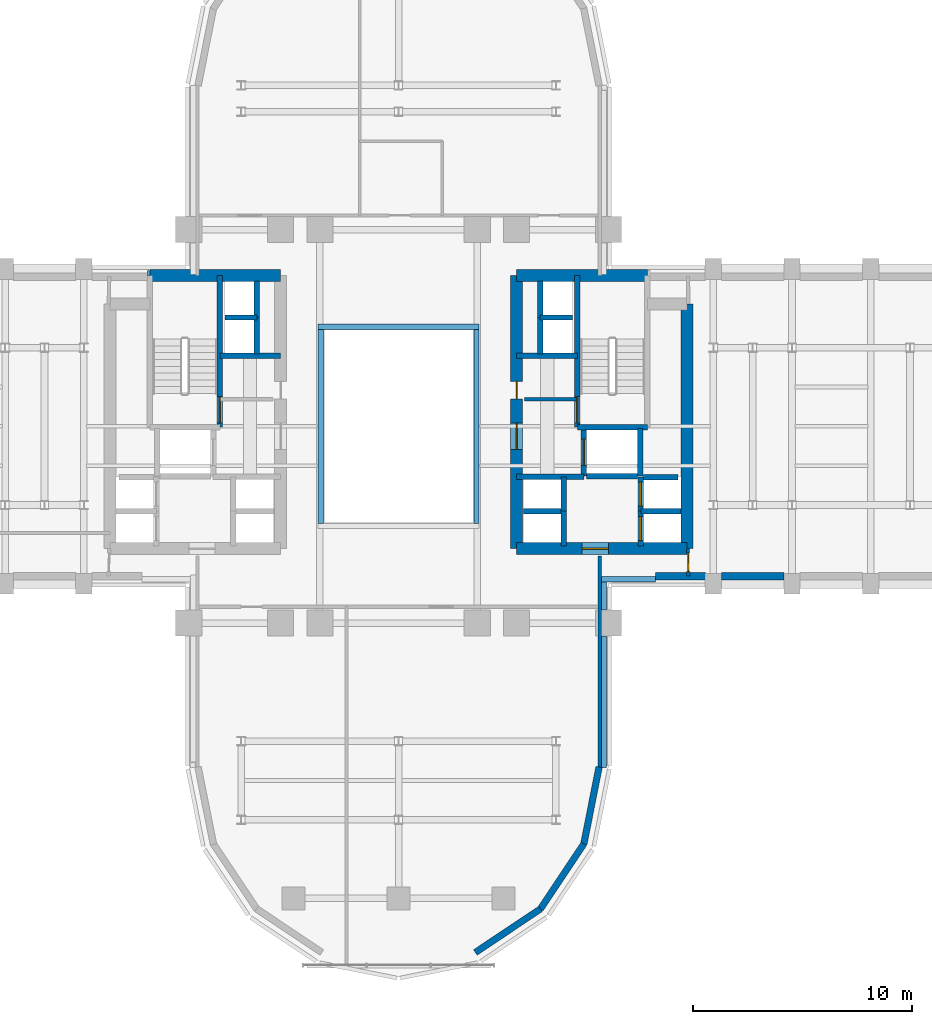
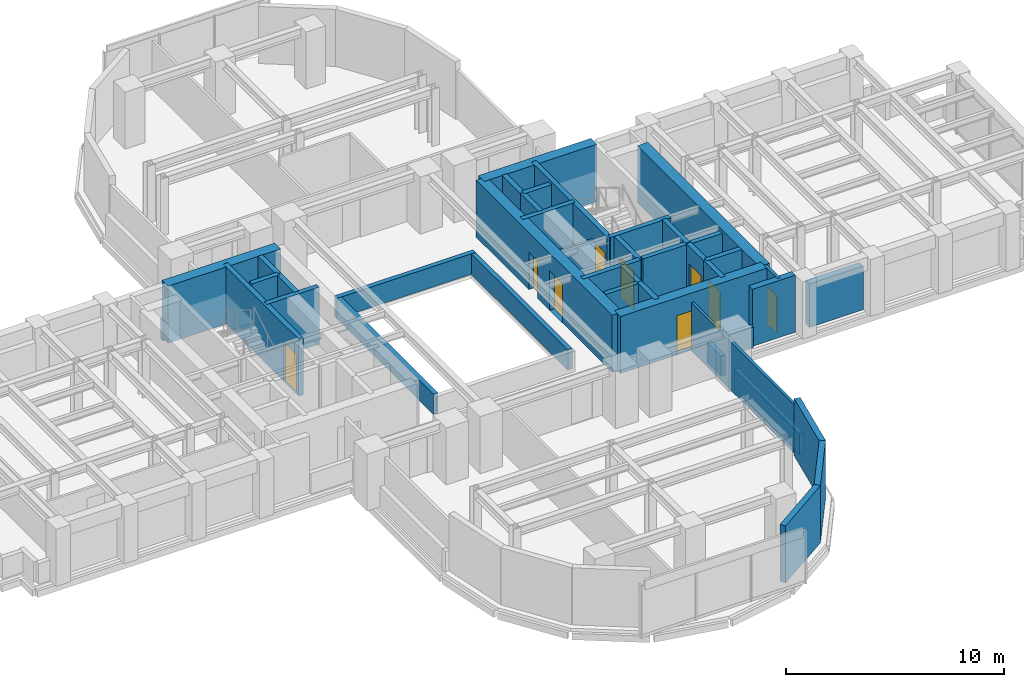
# One storey, part 11 of 16: 42 walls, 9 doors, 9 openings.
"""IFC4 building model written with IfcOpenShell, lengths in metres."""

from ifc_helpers import new_model, si_unit, direction, frame, frame_2d, origin, place, context, subcontext, project, spatial, rectangle, extrude, source, transform, mapped, material, layer, layer_set, type_object, element, fill, save


model = new_model("IFC4")

# Units and contexts
model_context = context("Model", 3, precision=1e-05, world=origin(), true_north=direction((0.0, 1.0)))
body_context = subcontext(model_context, "Body", "Model", "MODEL_VIEW")
ifc_project = project(units=[si_unit("LENGTHUNIT", "METRE"), si_unit("AREAUNIT", "SQUARE_METRE"), si_unit("VOLUMEUNIT", "CUBIC_METRE"), si_unit("PLANEANGLEUNIT", "RADIAN"), si_unit("MASSUNIT", "GRAM", prefix="KILO")], contexts=[model_context])

# Site, building, storey
site_placement = place(None, origin())
site = spatial("IfcSite", under=ifc_project, at=site_placement, CompositionType="ELEMENT")
building_placement = place(site_placement, origin())
building = spatial("IfcBuilding", under=site, at=building_placement, Name="Keilestroom Media Tower", CompositionType="ELEMENT")
storey_placement = place(building_placement, frame((0.0, 0.0, 34.0)))
storey = spatial("IfcBuildingStorey", under=building, at=storey_placement, Name="L07", CompositionType="ELEMENT", Elevation=34.0)

# Walls
ifc_material_1 = material(Name="Precast concrete C40/50", Category="concrete")
ifc_layer_1 = layer(ifc_material_1, 0.300048828125)
ifc_layer_set_1 = layer_set([ifc_layer_1], Name="Precast concrete C40/50")
wall_type_1 = type_object("IfcWallType", Name="Exterior-Masonry-Spandrel-Wall-300", PredefinedType="SOLIDWALL", material=ifc_layer_set_1)
wall_1_placement = place(storey_placement, frame((3.510009765625, -24.073486328125, 0.0), z_axis=(0.0, 0.0, 1.0), x_axis=(0.8314749531, 0.555562239868, 0.0)))
element("IfcWall", 1, at=wall_1_placement, inside=storey, type_object=wall_type_1, Name="L07 Lobe Facet Precast Frame Wall 10", PredefinedType="SOLIDWALL", context=body_context, shape_type="SweptSolid", body=[
    extrude(rectangle(XDim=3.59326171875, YDim=0.300048828125, at=frame_2d((1.796630859375, 0.0))), origin(), (0.0, 0.0, 1.0), 3.199951171875),
])
for number, where, z_axis, x_axis, name in (
    (2, (6.47705078125, -22.097900390625, 0.0), (0.0, 0.0, 1.0), (0.555574187116, 0.831466970246, 0.0), "L07 Lobe Facet Precast Frame Wall 11"),
    (3, (8.470703125, -19.12451171875, 0.0), (0.0, 0.0, 1.0), (0.195114232679, 0.980780523974, 0.0), "L07 Lobe Facet Precast Frame Wall 12"),
):
    element("IfcWall", number, at=place(storey_placement, frame(where, z_axis=z_axis, x_axis=x_axis)), inside=storey, type_object=wall_type_1, Name=name, PredefinedType="SOLIDWALL", context=body_context, shape_type="SweptSolid", body=[
        extrude(rectangle(XDim=3.608642578125, YDim=0.300048828125, at=frame_2d((1.80419921875, 0.0))), origin(), (0.0, 0.0, 1.0), 3.199951171875),
    ])
ifc_layer_2 = layer(ifc_material_1, 0.340087890625)
ifc_layer_set_2 = layer_set([ifc_layer_2], Name="Precast concrete C40/50")
wall_type_2 = type_object("IfcWallType", Name="Exterior-Masonry-Spandrel-Wall-340", PredefinedType="SOLIDWALL", material=ifc_layer_set_2)
wall_2_placement = place(storey_placement, frame((11.75, -6.85009765625, 0.0), z_axis=(0.0, 0.0, 1.0), x_axis=(1.0, 0.0, 0.0)))
element("IfcWall", 4, at=wall_2_placement, inside=storey, type_object=wall_type_2, Name="L07 Flank Masonry Wall EWL-L07-SE-1", PredefinedType="SOLIDWALL", context=body_context, shape_type="SweptSolid", body=[
    extrude(rectangle(XDim=2.282958984375, YDim=0.340087890625, at=frame_2d((1.1416015625, 0.0))), origin(), (0.0, 0.0, 1.0), 3.199951171875),
])
wall_3_placement = place(storey_placement, frame((14.76708984375, -6.85009765625, 0.0), z_axis=(0.0, 0.0, 1.0), x_axis=(1.0, 0.0, 0.0)))
element("IfcWall", 5, at=wall_3_placement, inside=storey, type_object=wall_type_2, Name="L07 Flank Masonry Wall EWL-L07-SE-2", PredefinedType="SOLIDWALL", context=body_context, shape_type="SweptSolid", body=[
    extrude(rectangle(XDim=2.865966796875, YDim=0.340087890625, at=frame_2d((1.43310546875, 0.0))), origin(), (0.0, 0.0, 1.0), 2.449951171875),
])
ifc_material_2 = material(Name="Gypsum Plasterboard & Steel Stud", Category="steel")
ifc_layer_3 = layer(ifc_material_2, 0.14990234375)
ifc_layer_set_3 = layer_set([ifc_layer_3], Name="Gypsum Plasterboard & Steel Stud")
wall_type_3 = type_object("IfcWallType", Name="Interior-Partition-Wall-150", PredefinedType="PARTITIONING", material=ifc_layer_set_3)
wall_4_placement = place(storey_placement, frame((5.75, 1.239990234375, 0.0), z_axis=(0.0, 0.0, 1.0), x_axis=(1.0, 0.0, 0.0)))
element("IfcWall", 6, at=wall_4_placement, inside=storey, type_object=wall_type_3, Name="L07 Interior Wall WP-L07-FFE-TOP", PredefinedType="PARTITIONING", context=body_context, shape_type="SweptSolid", body=[
    extrude(rectangle(XDim=2.389892578125, YDim=0.14990234375, at=frame_2d((1.19482421875, 0.0))), origin(), (0.0, 0.0, 1.0), 2.300048828125),
])
wall_5_placement = place(storey_placement, frame((9.199951171875, -15.679931640625, 0.0), z_axis=(0.0, 0.0, 1.0), x_axis=(0.0, 1.0, 0.0)))
element("IfcWall", 7, at=wall_5_placement, inside=storey, type_object=wall_type_3, Name="L07 Interior Wall WP-L07-SL-CHKE", PredefinedType="PARTITIONING", context=body_context, shape_type="SweptSolid", body=[
    extrude(rectangle(XDim=9.739990234375, YDim=0.14990234375, at=frame_2d((4.8701171875, 0.0))), origin(), (0.0, 0.0, 1.0), 2.7099609375),
])

# Wall, opening, door
wall_6_placement = place(storey_placement, frame((13.260009765625, -6.85009765625, 0.0), z_axis=(0.0, 0.0, 1.0), x_axis=(-0.016013571389, 0.999871774545, 0.0)))
wall_6 = element("IfcWall", 8, at=wall_6_placement, inside=storey, type_object=wall_type_3, Name="L07 Interior Wall WP-L07-EA-ENTS", PredefinedType="PARTITIONING", context=body_context, shape_type="SweptSolid", body=[
    extrude(rectangle(XDim=1.250244140625, YDim=0.14990234375, at=frame_2d((0.625, 0.0))), origin(), (0.0, 0.0, 1.0), 3.199951171875),
])
opening_1_placement = place(wall_6_placement, frame((0.199951171875, 0.0, 0.0)))
opening_1 = element("IfcOpeningElement", 9, at=opening_1_placement, cuts=wall_6, Name="Opening DI-05", PredefinedType="OPENING", context=body_context, shape_type="SweptSolid", body=[
    extrude(rectangle(XDim=0.85009765625, YDim=2.10009765625, at=frame_2d((0.425048828125, 1.050048828125))), frame((0.0, 0.0849609375, 0.0), z_axis=(0.0, -1.0, 0.0), x_axis=(1.0, 0.0, 0.0)), (0.0, 0.0, 1.0), 0.169921875),
])
ifc_material_3 = material(Name="Moisture-Resistant Oak Leaf", Category="wood")
door_type_1 = type_object("IfcDoorType", Name="Interior-En-Suite-And-Cupboard-Door-DI-05", OperationType="NOTDEFINED", PredefinedType="DOOR", material=ifc_material_3)
shared_shape_1 = source(origin(), body_context, "Body", "SweptSolid", [
    extrude(rectangle(XDim=0.85009765625, YDim=2.10009765625, at=frame_2d((0.425048828125, 1.050048828125))), frame((0.0, 0.02490234375, 0.0), z_axis=(0.0, -1.0, 0.0), x_axis=(1.0, 0.0, 0.0)), (0.0, 0.0, 1.0), 0.050048828125),
])
door_1_placement = place(opening_1_placement, origin())
door_1 = element("IfcDoor", 10, at=door_1_placement, inside=storey, type_object=door_type_1, Name="L07 Interior Door DI-L07-DEA-S", OperationType="SINGLE_SWING_LEFT", OverallHeight=2.10009765625, OverallWidth=0.85009765625, PredefinedType="DOOR", context=body_context, shape_type="MappedRepresentation", body=[
    mapped(shared_shape_1, transform((0.0, 0.0, 0.0), x_axis=(1.0, 0.0, 0.0), y_axis=(0.0, 1.0, 0.0), z_axis=(0.0, 0.0, 1.0), scale=1.0)),
])
fill(opening_1, door_1)

# Walls
ifc_material_4 = material(Name="Concrete C70/85", Category="concrete")
ifc_layer_4 = layer(ifc_material_4, 0.550048828125)
ifc_layer_set_4 = layer_set([ifc_layer_4], Name="Concrete C70/85")
wall_type_4 = type_object("IfcWallType", Name="Reinforced-Concrete-Core-Shear-Wall-550", PredefinedType="SHEAR", material=ifc_layer_set_4)
wall_7_placement = place(storey_placement, frame((-11.381103515625, 6.89990234375, 0.0), z_axis=(0.0, 0.0, 1.0), x_axis=(1.0, 0.0, 0.0)))
element("IfcWall", 11, at=wall_7_placement, inside=storey, type_object=wall_type_4, Name="L07 Core Shear Wall WL-L07-CORE-W-N", PredefinedType="SHEAR", context=body_context, shape_type="SweptSolid", body=[
    extrude(rectangle(XDim=5.981201171875, YDim=0.550048828125, at=frame_2d((2.99072265625, 0.0))), origin(), (0.0, 0.0, 1.0), 3.199951171875),
])
wall_8_placement = place(storey_placement, frame((13.199951171875, -5.60009765625, 0.0), z_axis=(0.0, 0.0, 1.0), x_axis=(0.0, 1.0, 0.0)))
element("IfcWall", 12, at=wall_8_placement, inside=storey, type_object=wall_type_4, Name="L07 Core Shear Wall WL-L07-CORE-E-OUT", PredefinedType="SHEAR", context=body_context, shape_type="SweptSolid", body=[
    extrude(rectangle(XDim=11.2001953125, YDim=0.550048828125, at=frame_2d((5.60009765625, 0.0))), origin(), (0.0, 0.0, 1.0), 3.199951171875),
])

# Wall, openings, doors
wall_9_placement = place(storey_placement, frame((5.39990234375, -5.60009765625, 0.0), z_axis=(0.0, 0.0, 1.0), x_axis=(0.0, 1.0, 0.0)))
wall_9 = element("IfcWall", 13, at=wall_9_placement, inside=storey, type_object=wall_type_4, Name="L07 Core Shear Wall WL-L07-CORE-E-IN", PredefinedType="SHEAR", context=body_context, shape_type="SweptSolid", body=[
    extrude(rectangle(XDim=12.5, YDim=0.550048828125, at=frame_2d((6.25, 0.0))), origin(), (0.0, 0.0, 1.0), 3.199951171875),
])
opening_2_placement = place(wall_9_placement, frame((4.550048828125, 0.0, 0.0)))
opening_2 = element("IfcOpeningElement", 14, at=opening_2_placement, cuts=wall_9, Name="Opening DI-02", PredefinedType="OPENING", context=body_context, shape_type="SweptSolid", body=[
    extrude(rectangle(XDim=1.199951171875, YDim=2.199951171875, at=frame_2d((0.60009765625, 1.10009765625))), frame((0.0, 0.28515625, 0.0), z_axis=(0.0, -1.0, 0.0), x_axis=(1.0, 0.0, 0.0)), (0.0, 0.0, 1.0), 0.570068359375),
])
opening_3_placement = place(wall_9_placement, frame((6.860107421875, 0.0, 0.0)))
opening_3 = element("IfcOpeningElement", 15, at=opening_3_placement, cuts=wall_9, Name="Opening DI-06", PredefinedType="OPENING", context=body_context, shape_type="SweptSolid", body=[
    extrude(rectangle(XDim=0.800048828125, YDim=2.10009765625, at=frame_2d((0.39990234375, 1.050048828125))), frame((0.0, 0.28515625, 0.0), z_axis=(0.0, -1.0, 0.0), x_axis=(1.0, 0.0, 0.0)), (0.0, 0.0, 1.0), 0.570068359375),
])
ifc_material_5 = material(Name="Powder-Coated Steel Fire Leaf", Category="steel")
door_type_2 = type_object("IfcDoorType", Name="Interior-Compartment-Fire-Door-DI-02", OperationType="NOTDEFINED", PredefinedType="DOOR", material=ifc_material_5)
shared_shape_2 = source(origin(), body_context, "Body", "SweptSolid", [
    extrude(rectangle(XDim=1.199951171875, YDim=2.199951171875, at=frame_2d((0.60009765625, 1.10009765625))), frame((0.0, 0.02490234375, 0.0), z_axis=(0.0, -1.0, 0.0), x_axis=(1.0, 0.0, 0.0)), (0.0, 0.0, 1.0), 0.050048828125),
])
door_2_placement = place(opening_2_placement, origin())
door_2 = element("IfcDoor", 16, at=door_2_placement, inside=storey, type_object=door_type_2, Name="L07 E Firefighting Lobby Door", OperationType="SINGLE_SWING_LEFT", OverallHeight=2.199951171875, OverallWidth=1.199951171875, PredefinedType="DOOR", context=body_context, shape_type="MappedRepresentation", body=[
    mapped(shared_shape_2, transform((0.0, 0.0, 0.0), x_axis=(1.0, 0.0, 0.0), y_axis=(0.0, 1.0, 0.0), z_axis=(0.0, 0.0, 1.0), scale=1.0)),
])
fill(opening_2, door_2)
ifc_material_6 = material(Name="Powder-Coated Steel Service Leaf", Category="steel")
door_type_3 = type_object("IfcDoorType", Name="Interior-Riser-Access-Door-DI-06", OperationType="NOTDEFINED", PredefinedType="DOOR", material=ifc_material_6)
shared_shape_3 = source(origin(), body_context, "Body", "SweptSolid", [
    extrude(rectangle(XDim=0.800048828125, YDim=2.10009765625, at=frame_2d((0.39990234375, 1.050048828125))), frame((0.0, 0.02490234375, 0.0), z_axis=(0.0, -1.0, 0.0), x_axis=(1.0, 0.0, 0.0)), (0.0, 0.0, 1.0), 0.050048828125),
])
door_3_placement = place(opening_3_placement, origin())
door_3 = element("IfcDoor", 17, at=door_3_placement, inside=storey, type_object=door_type_3, Name="L07 East Core Telecom Door", OperationType="SINGLE_SWING_RIGHT", OverallHeight=2.10009765625, OverallWidth=0.800048828125, PredefinedType="DOOR", context=body_context, shape_type="MappedRepresentation", body=[
    mapped(shared_shape_3, transform((0.0, 0.0, 0.0), x_axis=(1.0, 0.0, 0.0), y_axis=(0.0, 1.0, 0.0), z_axis=(0.0, 0.0, 1.0), scale=1.0)),
])
fill(opening_3, door_3)

# Wall
wall_10_placement = place(storey_placement, frame((5.39990234375, 6.89990234375, 0.0), z_axis=(0.0, 0.0, 1.0), x_axis=(1.0, 0.0, 0.0)))
element("IfcWall", 18, at=wall_10_placement, inside=storey, type_object=wall_type_4, Name="L07 Core Shear Wall WL-L07-CORE-E-N", PredefinedType="SHEAR", context=body_context, shape_type="SweptSolid", body=[
    extrude(rectangle(XDim=5.981201171875, YDim=0.550048828125, at=frame_2d((2.99072265625, 0.0))), origin(), (0.0, 0.0, 1.0), 3.199951171875),
])

# Wall, opening, door
wall_11_placement = place(storey_placement, frame((5.39990234375, -5.60009765625, 0.0), z_axis=(0.0, 0.0, 1.0), x_axis=(1.0, 0.0, 0.0)))
wall_11 = element("IfcWall", 19, at=wall_11_placement, inside=storey, type_object=wall_type_4, Name="L07 Core Shear Wall WL-L07-CORE-E-S", PredefinedType="SHEAR", context=body_context, shape_type="SweptSolid", body=[
    extrude(rectangle(XDim=7.800048828125, YDim=0.550048828125, at=frame_2d((3.89990234375, 0.0))), origin(), (0.0, 0.0, 1.0), 3.199951171875),
])
opening_4_placement = place(wall_11_placement, frame((3.0, 0.0, 0.0)))
opening_4 = element("IfcOpeningElement", 20, at=opening_4_placement, cuts=wall_11, Name="Opening DI-02", PredefinedType="OPENING", context=body_context, shape_type="SweptSolid", body=[
    extrude(rectangle(XDim=1.199951171875, YDim=2.199951171875, at=frame_2d((0.60009765625, 1.10009765625))), frame((0.0, 0.28515625, 0.0), z_axis=(0.0, -1.0, 0.0), x_axis=(1.0, 0.0, 0.0)), (0.0, 0.0, 1.0), 0.570068359375),
])
door_4_placement = place(opening_4_placement, origin())
door_4 = element("IfcDoor", 21, at=door_4_placement, inside=storey, type_object=door_type_2, Name="L07 E Passenger Lift Lobby Door", OperationType="SINGLE_SWING_RIGHT", OverallHeight=2.199951171875, OverallWidth=1.199951171875, PredefinedType="DOOR", context=body_context, shape_type="MappedRepresentation", body=[
    mapped(shared_shape_2, transform((0.0, 0.0, 0.0), x_axis=(1.0, 0.0, 0.0), y_axis=(0.0, 1.0, 0.0), z_axis=(0.0, 0.0, 1.0), scale=1.0)),
])
fill(opening_4, door_4)

# Wall
ifc_material_7 = material(Name="Concrete C50/60", Category="concrete")
ifc_layer_5 = layer(ifc_material_7, 0.25)
ifc_layer_set_5 = layer_set([ifc_layer_5], Name="Concrete C50/60")
wall_type_5 = type_object("IfcWallType", Name="Reinforced-Concrete-Shaft-Wall-250", PredefinedType="SOLIDWALL", material=ifc_layer_set_5)
wall_12_placement = place(storey_placement, frame((-8.179931640625, 3.219970703125, 0.0), z_axis=(0.0, 0.0, 1.0), x_axis=(1.0, 0.0, 0.0)))
element("IfcWall", 22, at=wall_12_placement, inside=storey, type_object=wall_type_5, Name="L07 Core Shear Wall WL-L07-CORE-W-FFN", PredefinedType="SOLIDWALL", context=body_context, shape_type="SweptSolid", body=[
    extrude(rectangle(XDim=2.780029296875, YDim=0.25, at=frame_2d((1.39013671875, 0.0))), origin(), (0.0, 0.0, 1.0), 3.199951171875),
])

# Wall, opening, door
wall_13_placement = place(storey_placement, frame((-8.178955078125, -0.041015625, 0.0), z_axis=(0.0, 0.0, 1.0), x_axis=(0.0, 1.0, 0.0)))
wall_13 = element("IfcWall", 23, at=wall_13_placement, inside=storey, type_object=wall_type_5, Name="L07 Core Shear Wall WL-L07-STW-W-NEAR", PredefinedType="SOLIDWALL", context=body_context, shape_type="SweptSolid", body=[
    extrude(rectangle(XDim=6.94091796875, YDim=0.25, at=frame_2d((3.470458984375, 0.0))), origin(), (0.0, 0.0, 1.0), 3.199951171875),
])
opening_5_placement = place(wall_13_placement, frame((0.199951171875, 0.0, 0.0)))
opening_5 = element("IfcOpeningElement", 24, at=opening_5_placement, cuts=wall_13, Name="Opening DI-01S", PredefinedType="OPENING", context=body_context, shape_type="SweptSolid", body=[
    extrude(rectangle(XDim=1.199951171875, YDim=2.199951171875, at=frame_2d((0.60009765625, 1.10009765625))), frame((0.0, 0.135009765625, 0.0), z_axis=(0.0, -1.0, 0.0), x_axis=(1.0, 0.0, 0.0)), (0.0, 0.0, 1.0), 0.27001953125),
])
door_type_4 = type_object("IfcDoorType", Name="Interior-Stair-And-Core-Fire-Door-DI-01", OperationType="NOTDEFINED", PredefinedType="DOOR", material=ifc_material_5)
door_5_placement = place(opening_5_placement, origin())
door_5 = element("IfcDoor", 25, at=door_5_placement, inside=storey, type_object=door_type_4, Name="L07 Escape Stair ST-1 Fire Door", OperationType="SINGLE_SWING_LEFT", OverallHeight=2.199951171875, OverallWidth=1.199951171875, PredefinedType="DOOR", context=body_context, shape_type="MappedRepresentation", body=[
    mapped(shared_shape_2, transform((0.0, 0.0, 0.0), x_axis=(1.0, 0.0, 0.0), y_axis=(0.0, 1.0, 0.0), z_axis=(0.0, 0.0, 1.0), scale=1.0)),
])
fill(opening_5, door_5)

# Walls
wall_14_placement = place(storey_placement, frame((5.39990234375, 3.219970703125, 0.0), z_axis=(0.0, 0.0, 1.0), x_axis=(1.0, 0.0, 0.0)))
element("IfcWall", 26, at=wall_14_placement, inside=storey, type_object=wall_type_5, Name="L07 Core Shear Wall WL-L07-CORE-E-FFN", PredefinedType="SOLIDWALL", context=body_context, shape_type="SweptSolid", body=[
    extrude(rectangle(XDim=2.780029296875, YDim=0.25, at=frame_2d((1.39013671875, 0.0))), origin(), (0.0, 0.0, 1.0), 3.199951171875),
])
wall_15_placement = place(storey_placement, frame((5.39990234375, -2.300048828125, 0.0), z_axis=(0.0, 0.0, 1.0), x_axis=(1.0, 0.0, 0.0)))
element("IfcWall", 27, at=wall_15_placement, inside=storey, type_object=wall_type_5, Name="L07 Core Shear Wall WL-L07-CORE-E-FFS", PredefinedType="SOLIDWALL", context=body_context, shape_type="SweptSolid", body=[
    extrude(rectangle(XDim=3.080078125, YDim=0.25, at=frame_2d((1.5400390625, 0.0))), origin(), (0.0, 0.0, 1.0), 3.199951171875),
])

# Wall, opening, door
wall_16_placement = place(storey_placement, frame((8.178955078125, -0.041015625, 0.0), z_axis=(0.0, 0.0, 1.0), x_axis=(0.0, 1.0, 0.0)))
wall_16 = element("IfcWall", 28, at=wall_16_placement, inside=storey, type_object=wall_type_5, Name="L07 Core Shear Wall WL-L07-STW-E-NEAR", PredefinedType="SOLIDWALL", context=body_context, shape_type="SweptSolid", body=[
    extrude(rectangle(XDim=6.94091796875, YDim=0.25, at=frame_2d((3.470458984375, 0.0))), origin(), (0.0, 0.0, 1.0), 3.199951171875),
])
opening_6_placement = place(wall_16_placement, frame((0.199951171875, 0.0, 0.0)))
opening_6 = element("IfcOpeningElement", 29, at=opening_6_placement, cuts=wall_16, Name="Opening DI-01S", PredefinedType="OPENING", context=body_context, shape_type="SweptSolid", body=[
    extrude(rectangle(XDim=1.199951171875, YDim=2.199951171875, at=frame_2d((0.60009765625, 1.10009765625))), frame((0.0, 0.135009765625, 0.0), z_axis=(0.0, -1.0, 0.0), x_axis=(1.0, 0.0, 0.0)), (0.0, 0.0, 1.0), 0.27001953125),
])
door_6_placement = place(opening_6_placement, origin())
door_6 = element("IfcDoor", 30, at=door_6_placement, inside=storey, type_object=door_type_4, Name="L07 Escape Stair ST-2 Fire Door", OperationType="SINGLE_SWING_RIGHT", OverallHeight=2.199951171875, OverallWidth=1.199951171875, PredefinedType="DOOR", context=body_context, shape_type="MappedRepresentation", body=[
    mapped(shared_shape_2, transform((0.0, 0.0, 0.0), x_axis=(1.0, 0.0, 0.0), y_axis=(0.0, 1.0, 0.0), z_axis=(0.0, 0.0, 1.0), scale=1.0)),
])
fill(opening_6, door_6)

# Wall
wall_17_placement = place(storey_placement, frame((8.178955078125, -0.041015625, 0.0), z_axis=(0.0, 0.0, 1.0), x_axis=(1.0, 0.0, 0.0)))
element("IfcWall", 31, at=wall_17_placement, inside=storey, type_object=wall_type_5, Name="L07 Core Shear Wall WL-L07-STW-E-S", PredefinedType="SOLIDWALL", context=body_context, shape_type="SweptSolid", body=[
    extrude(rectangle(XDim=3.2021484375, YDim=0.25, at=frame_2d((1.60107421875, 0.0))), origin(), (0.0, 0.0, 1.0), 3.199951171875),
])

# Wall, opening, door
wall_18_placement = place(storey_placement, frame((8.47998046875, -2.280029296875, 0.0), z_axis=(0.0, 0.0, 1.0), x_axis=(0.0, 1.0, 0.0)))
wall_18 = element("IfcWall", 32, at=wall_18_placement, inside=storey, type_object=wall_type_5, Name="L07 Core Shear Wall WL-L07-LSH-FFL-2-W", PredefinedType="SOLIDWALL", context=body_context, shape_type="SweptSolid", body=[
    extrude(rectangle(XDim=2.179931640625, YDim=0.25, at=frame_2d((1.08984375, 0.0))), origin(), (0.0, 0.0, 1.0), 3.199951171875),
])
opening_7_placement = place(wall_18_placement, frame((0.489990234375, 0.0, 0.0)))
opening_7 = element("IfcOpeningElement", 33, at=opening_7_placement, cuts=wall_18, Name="Opening LD-02", PredefinedType="OPENING", context=body_context, shape_type="SweptSolid", body=[
    extrude(rectangle(XDim=1.199951171875, YDim=2.199951171875, at=frame_2d((0.60009765625, 1.10009765625))), frame((0.0, 0.135009765625, 0.0), z_axis=(0.0, -1.0, 0.0), x_axis=(1.0, 0.0, 0.0)), (0.0, 0.0, 1.0), 0.27001953125),
])
ifc_material_8 = material(Name="Brushed Stainless Steel Sliding Leaf", Category="steel")
door_type_5 = type_object("IfcDoorType", Name="Lift-Landing-Sliding-Door-LD-02", OperationType="SLIDING_TO_RIGHT", PredefinedType="DOOR", material=ifc_material_8)
door_7_placement = place(opening_7_placement, origin())
door_7 = element("IfcDoor", 34, at=door_7_placement, inside=storey, type_object=door_type_5, Name="L07 Lift FFL-2 Landing Sliding Door", OperationType="SLIDING_TO_RIGHT", OverallHeight=2.199951171875, OverallWidth=1.199951171875, PredefinedType="DOOR", context=body_context, shape_type="MappedRepresentation", body=[
    mapped(shared_shape_2, transform((0.0, 0.0, 0.0), x_axis=(1.0, 0.0, 0.0), y_axis=(0.0, 1.0, 0.0), z_axis=(0.0, 0.0, 1.0), scale=1.0)),
])
fill(opening_7, door_7)

# Walls
wall_19_placement = place(storey_placement, frame((11.050048828125, -2.280029296875, 0.0), z_axis=(0.0, 0.0, 1.0), x_axis=(0.0, 1.0, 0.0)))
element("IfcWall", 35, at=wall_19_placement, inside=storey, type_object=wall_type_5, Name="L07 Core Shear Wall WL-L07-LSH-FFL-2-E", PredefinedType="SOLIDWALL", context=body_context, shape_type="SweptSolid", body=[
    extrude(rectangle(XDim=2.179931640625, YDim=0.25, at=frame_2d((1.08984375, 0.0))), origin(), (0.0, 0.0, 1.0), 3.199951171875),
])
wall_20_placement = place(storey_placement, frame((8.60888671875, -2.280029296875, 0.0), z_axis=(0.0, 0.0, 1.0), x_axis=(1.0, 0.0, 0.0)))
element("IfcWall", 36, at=wall_20_placement, inside=storey, type_object=wall_type_5, Name="L07 Core Shear Wall WL-L07-LSH-FFL-2-S", PredefinedType="SOLIDWALL", context=body_context, shape_type="SweptSolid", body=[
    extrude(rectangle(XDim=2.31201171875, YDim=0.25, at=frame_2d((1.156005859375, 0.0))), origin(), (0.0, 0.0, 1.0), 3.199951171875),
])

# Wall, opening, door
wall_21_placement = place(storey_placement, frame((11.080078125, -5.47998046875, 0.0), z_axis=(0.0, 0.0, 1.0), x_axis=(0.0, 1.0, 0.0)))
wall_21 = element("IfcWall", 37, at=wall_21_placement, inside=storey, type_object=wall_type_5, Name="L07 Core Shear Wall WL-L07-LSH-PL-L3-W", PredefinedType="SOLIDWALL", context=body_context, shape_type="SweptSolid", body=[
    extrude(rectangle(XDim=1.60009765625, YDim=0.25, at=frame_2d((0.800048828125, 0.0))), origin(), (0.0, 0.0, 1.0), 3.199951171875),
])
opening_8_placement = place(wall_21_placement, frame((0.25, 0.0, 0.0)))
opening_8 = element("IfcOpeningElement", 38, at=opening_8_placement, cuts=wall_21, Name="Opening LD-01", PredefinedType="OPENING", context=body_context, shape_type="SweptSolid", body=[
    extrude(rectangle(XDim=1.10009765625, YDim=2.199951171875, at=frame_2d((0.550048828125, 1.10009765625))), frame((0.0, 0.135009765625, 0.0), z_axis=(0.0, -1.0, 0.0), x_axis=(1.0, 0.0, 0.0)), (0.0, 0.0, 1.0), 0.27001953125),
])
door_type_6 = type_object("IfcDoorType", Name="Lift-Landing-Sliding-Door-LD-01", OperationType="SLIDING_TO_LEFT", PredefinedType="DOOR", material=ifc_material_8)
shared_shape_4 = source(origin(), body_context, "Body", "SweptSolid", [
    extrude(rectangle(XDim=1.10009765625, YDim=2.199951171875, at=frame_2d((0.550048828125, 1.10009765625))), frame((0.0, 0.02490234375, 0.0), z_axis=(0.0, -1.0, 0.0), x_axis=(1.0, 0.0, 0.0)), (0.0, 0.0, 1.0), 0.050048828125),
])
door_8_placement = place(opening_8_placement, origin())
door_8 = element("IfcDoor", 39, at=door_8_placement, inside=storey, type_object=door_type_6, Name="L07 Lift PL-L3 Landing Sliding Door", OperationType="SLIDING_TO_LEFT", OverallHeight=2.199951171875, OverallWidth=1.10009765625, PredefinedType="DOOR", context=body_context, shape_type="MappedRepresentation", body=[
    mapped(shared_shape_4, transform((0.0, 0.0, 0.0), x_axis=(1.0, 0.0, 0.0), y_axis=(0.0, 1.0, 0.0), z_axis=(0.0, 0.0, 1.0), scale=1.0)),
])
fill(opening_8, door_8)

# Wall
wall_22_placement = place(storey_placement, frame((11.080078125, -3.8798828125, 0.0), z_axis=(0.0, 0.0, 1.0), x_axis=(1.0, 0.0, 0.0)))
element("IfcWall", 40, at=wall_22_placement, inside=storey, type_object=wall_type_5, Name="L07 Core Shear Wall WL-L07-LSH-PL-L3-N", PredefinedType="SOLIDWALL", context=body_context, shape_type="SweptSolid", body=[
    extrude(rectangle(XDim=1.83984375, YDim=0.25, at=frame_2d((0.919921875, 0.0))), origin(), (0.0, 0.0, 1.0), 3.199951171875),
])

# Wall, opening, door
wall_23_placement = place(storey_placement, frame((11.080078125, -3.8798828125, 0.0), z_axis=(0.0, 0.0, 1.0), x_axis=(0.0, 1.0, 0.0)))
wall_23 = element("IfcWall", 41, at=wall_23_placement, inside=storey, type_object=wall_type_5, Name="L07 Core Shear Wall WL-L07-LSH-PL-L4-W", PredefinedType="SOLIDWALL", context=body_context, shape_type="SweptSolid", body=[
    extrude(rectangle(XDim=1.559814453125, YDim=0.25, at=frame_2d((0.77978515625, 0.0))), origin(), (0.0, 0.0, 1.0), 3.199951171875),
])
opening_9_placement = place(wall_23_placement, frame((0.22998046875, 0.0, 0.0)))
opening_9 = element("IfcOpeningElement", 42, at=opening_9_placement, cuts=wall_23, Name="Opening LD-01", PredefinedType="OPENING", context=body_context, shape_type="SweptSolid", body=[
    extrude(rectangle(XDim=1.10009765625, YDim=2.199951171875, at=frame_2d((0.550048828125, 1.10009765625))), frame((0.0, 0.135009765625, 0.0), z_axis=(0.0, -1.0, 0.0), x_axis=(1.0, 0.0, 0.0)), (0.0, 0.0, 1.0), 0.27001953125),
])
door_9_placement = place(opening_9_placement, origin())
door_9 = element("IfcDoor", 43, at=door_9_placement, inside=storey, type_object=door_type_6, Name="L07 Lift PL-L4 Landing Sliding Door", OperationType="SLIDING_TO_LEFT", OverallHeight=2.199951171875, OverallWidth=1.10009765625, PredefinedType="DOOR", context=body_context, shape_type="MappedRepresentation", body=[
    mapped(shared_shape_4, transform((0.0, 0.0, 0.0), x_axis=(1.0, 0.0, 0.0), y_axis=(0.0, 1.0, 0.0), z_axis=(0.0, 0.0, 1.0), scale=1.0)),
])
fill(opening_9, door_9)

# Walls
wall_24_placement = place(storey_placement, frame((11.208984375, -2.320068359375, 0.0), z_axis=(0.0, 0.0, 1.0), x_axis=(1.0, 0.0, 0.0)))
element("IfcWall", 44, at=wall_24_placement, inside=storey, type_object=wall_type_5, Name="L07 Core Shear Wall WL-L07-LSH-PL-L4-N", PredefinedType="SOLIDWALL", context=body_context, shape_type="SweptSolid", body=[
    extrude(rectangle(XDim=1.58203125, YDim=0.25, at=frame_2d((0.791015625, 0.0))), origin(), (0.0, 0.0, 1.0), 3.199951171875),
])
wall_25_placement = place(storey_placement, frame((7.56005859375, -5.47998046875, 0.0), z_axis=(0.0, 0.0, 1.0), x_axis=(0.0, 1.0, 0.0)))
element("IfcWall", 45, at=wall_25_placement, inside=storey, type_object=wall_type_5, Name="L07 Core Shear Wall WL-L07-LSH-PL-M3-E", PredefinedType="SOLIDWALL", context=body_context, shape_type="SweptSolid", body=[
    extrude(rectangle(XDim=1.60009765625, YDim=0.25, at=frame_2d((0.800048828125, 0.0))), origin(), (0.0, 0.0, 1.0), 3.199951171875),
])
wall_26_placement = place(storey_placement, frame((5.719970703125, -3.8798828125, 0.0), z_axis=(0.0, 0.0, 1.0), x_axis=(1.0, 0.0, 0.0)))
element("IfcWall", 46, at=wall_26_placement, inside=storey, type_object=wall_type_5, Name="L07 Core Shear Wall WL-L07-LSH-PL-M3-N", PredefinedType="SOLIDWALL", context=body_context, shape_type="SweptSolid", body=[
    extrude(rectangle(XDim=1.840087890625, YDim=0.25, at=frame_2d((0.919921875, 0.0))), origin(), (0.0, 0.0, 1.0), 3.199951171875),
])
wall_27_placement = place(storey_placement, frame((7.56005859375, -3.8798828125, 0.0), z_axis=(0.0, 0.0, 1.0), x_axis=(0.0, 1.0, 0.0)))
element("IfcWall", 47, at=wall_27_placement, inside=storey, type_object=wall_type_5, Name="L07 Core Shear Wall WL-L07-LSH-PL-M4-E", PredefinedType="SOLIDWALL", context=body_context, shape_type="SweptSolid", body=[
    extrude(rectangle(XDim=1.559814453125, YDim=0.25, at=frame_2d((0.77978515625, 0.0))), origin(), (0.0, 0.0, 1.0), 3.199951171875),
])
wall_28_placement = place(storey_placement, frame((-6.47998046875, 3.300048828125, 0.0), z_axis=(0.0, 0.0, 1.0), x_axis=(0.0, 1.0, 0.0)))
element("IfcWall", 48, at=wall_28_placement, inside=storey, type_object=wall_type_5, Name="L07 Core Shear Wall WL-L07-LSH-PL-H1-E", PredefinedType="SOLIDWALL", context=body_context, shape_type="SweptSolid", body=[
    extrude(rectangle(XDim=1.679931640625, YDim=0.25, at=frame_2d((0.83984375, 0.0))), origin(), (0.0, 0.0, 1.0), 3.199951171875),
])
wall_29_placement = place(storey_placement, frame((-7.949951171875, 4.97998046875, 0.0), z_axis=(0.0, 0.0, 1.0), x_axis=(1.0, 0.0, 0.0)))
element("IfcWall", 49, at=wall_29_placement, inside=storey, type_object=wall_type_5, Name="L07 Core Shear Wall WL-L07-LSH-PL-H1-N", PredefinedType="SOLIDWALL", context=body_context, shape_type="SweptSolid", body=[
    extrude(rectangle(XDim=1.469970703125, YDim=0.25, at=frame_2d((0.73486328125, 0.0))), origin(), (0.0, 0.0, 1.0), 3.199951171875),
])
wall_30_placement = place(storey_placement, frame((-6.47998046875, 4.97998046875, 0.0), z_axis=(0.0, 0.0, 1.0), x_axis=(0.0, 1.0, 0.0)))
element("IfcWall", 50, at=wall_30_placement, inside=storey, type_object=wall_type_5, Name="L07 Core Shear Wall WL-L07-LSH-PL-H2-E", PredefinedType="SOLIDWALL", context=body_context, shape_type="SweptSolid", body=[
    extrude(rectangle(XDim=1.669921875, YDim=0.25, at=frame_2d((0.8349609375, 0.0))), origin(), (0.0, 0.0, 1.0), 3.199951171875),
])
wall_31_placement = place(storey_placement, frame((6.47998046875, 3.300048828125, 0.0), z_axis=(0.0, 0.0, 1.0), x_axis=(0.0, 1.0, 0.0)))
element("IfcWall", 51, at=wall_31_placement, inside=storey, type_object=wall_type_5, Name="L07 Core Shear Wall WL-L07-LSH-PL-H3-W", PredefinedType="SOLIDWALL", context=body_context, shape_type="SweptSolid", body=[
    extrude(rectangle(XDim=1.679931640625, YDim=0.25, at=frame_2d((0.83984375, 0.0))), origin(), (0.0, 0.0, 1.0), 3.199951171875),
])
wall_32_placement = place(storey_placement, frame((6.47998046875, 4.97998046875, 0.0), z_axis=(0.0, 0.0, 1.0), x_axis=(1.0, 0.0, 0.0)))
element("IfcWall", 52, at=wall_32_placement, inside=storey, type_object=wall_type_5, Name="L07 Core Shear Wall WL-L07-LSH-PL-H3-N", PredefinedType="SOLIDWALL", context=body_context, shape_type="SweptSolid", body=[
    extrude(rectangle(XDim=1.469970703125, YDim=0.25, at=frame_2d((0.73486328125, 0.0))), origin(), (0.0, 0.0, 1.0), 3.199951171875),
])
wall_33_placement = place(storey_placement, frame((6.47998046875, 4.97998046875, 0.0), z_axis=(0.0, 0.0, 1.0), x_axis=(0.0, 1.0, 0.0)))
element("IfcWall", 53, at=wall_33_placement, inside=storey, type_object=wall_type_5, Name="L07 Core Shear Wall WL-L07-LSH-PL-H4-W", PredefinedType="SOLIDWALL", context=body_context, shape_type="SweptSolid", body=[
    extrude(rectangle(XDim=1.669921875, YDim=0.25, at=frame_2d((0.8349609375, 0.0))), origin(), (0.0, 0.0, 1.0), 3.199951171875),
])
ifc_layer_6 = layer(ifc_material_1, 0.239990234375)
ifc_layer_set_6 = layer_set([ifc_layer_6], Name="Precast concrete C40/50")
wall_type_6 = type_object("IfcWallType", Name="Roof-And-Terrace-Parapet-Wall-240", PredefinedType="PARAPET", material=ifc_layer_set_6)
wall_34_placement = place(storey_placement, frame((11.7470703125, -7.0, 0.0), z_axis=(0.0, 0.0, 1.0), x_axis=(-1.0, 0.0, 0.0)))
element("IfcWall", 54, at=wall_34_placement, inside=storey, type_object=wall_type_6, Name="L07 Perimeter Edge Parapet Wall 06", PredefinedType="PARAPET", context=body_context, shape_type="SweptSolid", body=[
    extrude(rectangle(XDim=2.468994140625, YDim=0.239990234375, at=frame_2d((1.234375, 0.0))), origin(), (0.0, 0.0, 1.0), 1.14990234375),
])
wall_35_placement = place(storey_placement, frame((9.39990234375, -7.123046875, 0.0), z_axis=(0.0, 0.0, 1.0), x_axis=(0.0, -1.0, 0.0)))
element("IfcWall", 55, at=wall_35_placement, inside=storey, type_object=wall_type_6, Name="L07 Perimeter Edge Parapet Wall 07", PredefinedType="PARAPET", context=body_context, shape_type="SweptSolid", body=[
    extrude(rectangle(XDim=1.27392578125, YDim=0.239990234375, at=frame_2d((0.636962890625, 0.0))), origin(), (0.0, 0.0, 1.0), 1.14990234375),
])
wall_36_placement = place(storey_placement, frame((9.39990234375, -9.60302734375, 0.0), z_axis=(0.0, 0.0, 1.0), x_axis=(0.0, -1.0, 0.0)))
element("IfcWall", 56, at=wall_36_placement, inside=storey, type_object=wall_type_6, Name="L07 Perimeter Edge Parapet Wall 08", PredefinedType="PARAPET", context=body_context, shape_type="SweptSolid", body=[
    extrude(rectangle(XDim=5.999755859375, YDim=0.239990234375, at=frame_2d((3.0, 0.0))), origin(), (0.0, 0.0, 1.0), 1.14990234375),
])
wall_37_placement = place(storey_placement, frame((-11.4951171875, 7.0, 0.0), z_axis=(0.0, 0.0, 1.0), x_axis=(1.0, 0.0, 0.0)))
element("IfcWall", 57, at=wall_37_placement, inside=storey, type_object=wall_type_6, Name="L07 Perimeter Edge Parapet Wall 25", PredefinedType="PARAPET", context=body_context, shape_type="SweptSolid", body=[
    extrude(rectangle(XDim=0.092041015625, YDim=0.239990234375, at=frame_2d((0.0458984375, 0.0))), origin(), (0.0, 0.0, 1.0), 1.14990234375),
])
wall_38_placement = place(storey_placement, frame((-3.679931640625, 4.56005859375, 0.0), z_axis=(0.0, 0.0, 1.0), x_axis=(1.0, 0.0, 0.0)))
element("IfcWall", 58, at=wall_38_placement, inside=storey, type_object=wall_type_6, Name="L07 Central Atrium Guard Parapet N", PredefinedType="PARAPET", context=body_context, shape_type="SweptSolid", body=[
    extrude(rectangle(XDim=7.35986328125, YDim=0.239990234375, at=frame_2d((3.679931640625, 0.0))), origin(), (0.0, 0.0, 1.0), 1.14990234375),
])
for number, where, z_axis, x_axis, name in (
    (59, (-3.56005859375, -4.43505859375, 0.0), (0.0, 0.0, 1.0), (0.0, 1.0, 0.0), "L07 Central Atrium Guard Parapet W"),
    (60, (3.56005859375, -4.43505859375, 0.0), (0.0, 0.0, 1.0), (0.0, 1.0, 0.0), "L07 Central Atrium Guard Parapet E"),
):
    element("IfcWall", number, at=place(storey_placement, frame(where, z_axis=z_axis, x_axis=x_axis)), inside=storey, type_object=wall_type_6, Name=name, PredefinedType="PARAPET", context=body_context, shape_type="SweptSolid", body=[
        extrude(rectangle(XDim=8.8701171875, YDim=0.239990234375, at=frame_2d((4.43505859375, 0.0))), origin(), (0.0, 0.0, 1.0), 1.14990234375),
    ])

save(model, "model.ifc")
